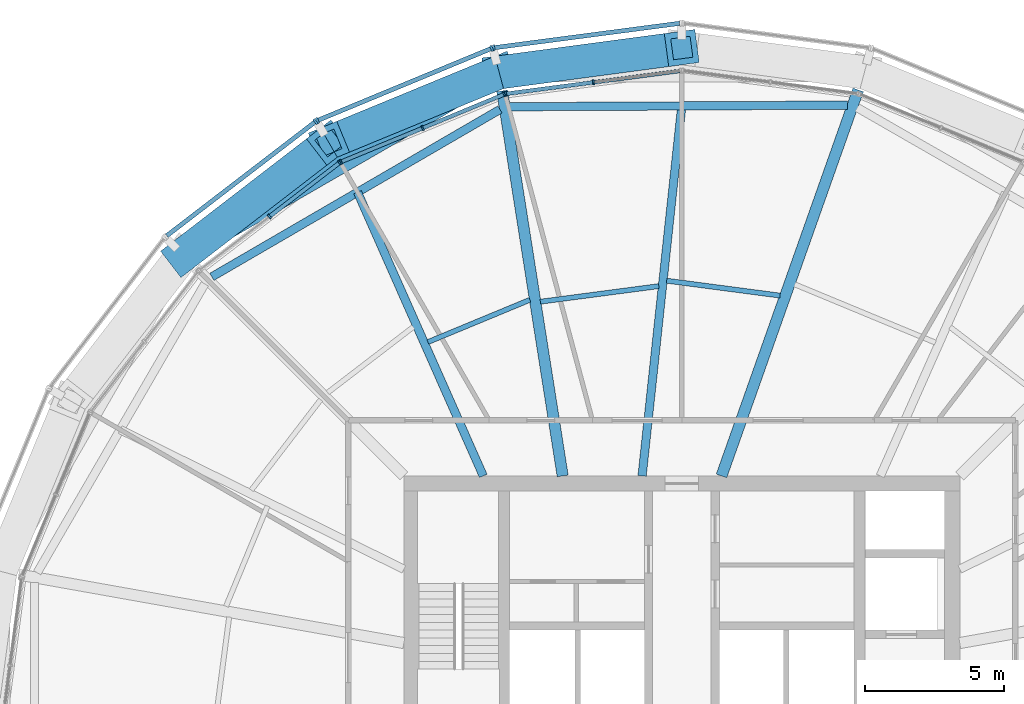
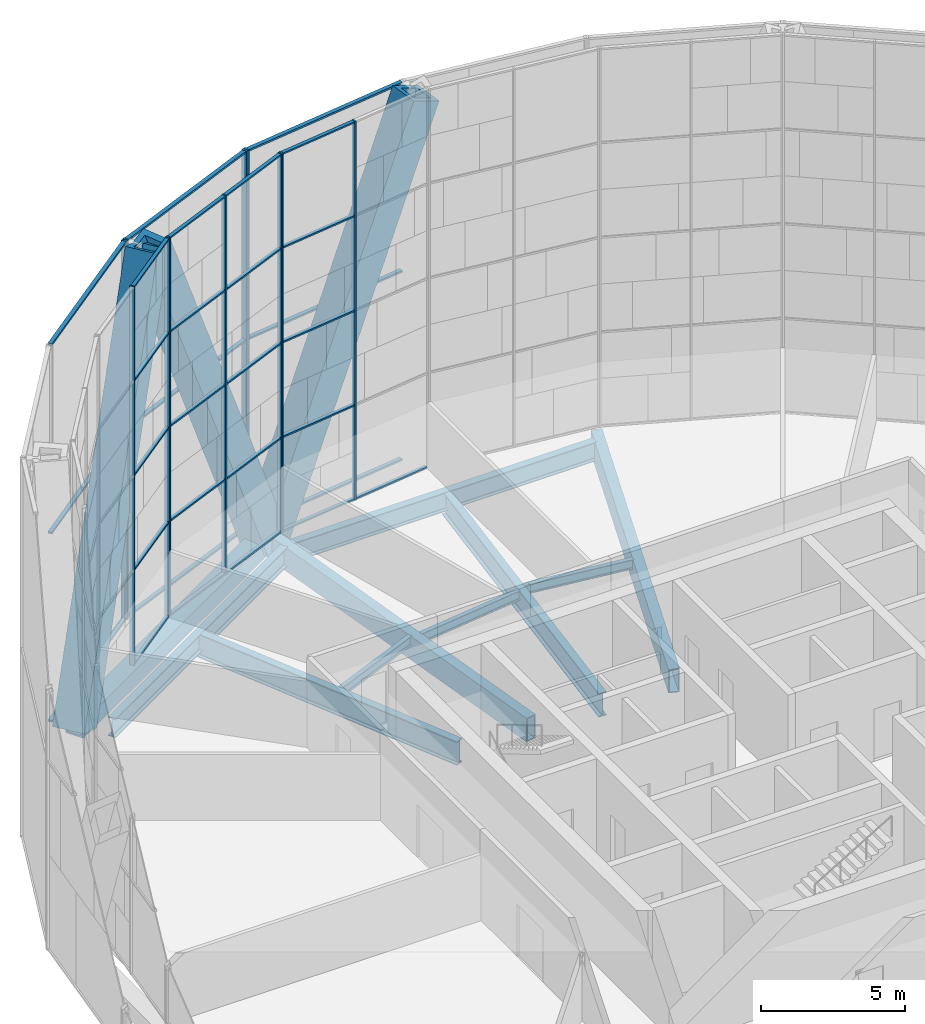
# One storey, part 9 of 30: 44 members, 10 beams, 6 elements without a shape of their own.
"""IFC4 building model written with IfcOpenShell, lengths in metres."""

from ifc_helpers import new_model, si_unit, direction, frame, origin, origin_2d, place, context, subcontext, project, spatial, rectangle, hollow_rectangle, i_section, extrude, material, material_profile, profile_set, type_object, element, aggregate, save


model = new_model("IFC4")

# Units and contexts
model_context = context("Model", 3, precision=1e-05, world=origin(), true_north=direction((0.0, 1.0)))
body_context = subcontext(model_context, "Body", "Model", "MODEL_VIEW")
ifc_project = project(units=[si_unit("LENGTHUNIT", "METRE"), si_unit("AREAUNIT", "SQUARE_METRE"), si_unit("VOLUMEUNIT", "CUBIC_METRE"), si_unit("PLANEANGLEUNIT", "RADIAN"), si_unit("MASSUNIT", "GRAM", prefix="KILO")], contexts=[model_context])

# Site, building, storey
site_placement = place(None, origin())
site = spatial("IfcSite", under=ifc_project, at=site_placement, CompositionType="ELEMENT")
building_placement = place(site_placement, origin())
building = spatial("IfcBuilding", under=site, at=building_placement, Name="Golbaran Civic Tower", CompositionType="ELEMENT")
storey_placement = place(building_placement, frame((0.0, 0.0, 102.0)))
storey = spatial("IfcBuildingStorey", under=building, at=storey_placement, Name="L24", CompositionType="ELEMENT", Elevation=102.0)

# Members
ifc_material_1 = material(Name="Steel S355", Category="steel")
ifc_material_profile_1 = material_profile(ifc_material_1, hollow_rectangle(XDim=1.199951171875, YDim=1.199951171875, WallThickness=0.219970703125, at=origin_2d()), Name="BOX 1200x1200x220")
ifc_profile_set_1 = profile_set([ifc_material_profile_1], Name="Steel S355")
member_type_1 = type_object("IfcMemberType", Name="DIAGRID DIAGONAL BOX 1200x1200x220", PredefinedType="BRACE", material=ifc_profile_set_1)
for number, where, z_axis, x_axis, name in (
    (1, (-6.569091796875, 24.51611328125, -0.7099609375), (-0.353814050585, -0.145808380158, 0.923880692451), (0.381018447137, -0.924567435583, 0.0), "Diagonal D05-03R L24-L28"),
    (2, (-6.569091796875, 24.51611328125, -0.7099609375), (0.379315997273, 0.050637494414, 0.923880521697), (-0.132322975426, 0.991206653617, 0.0), "Diagonal D05-03L L24-L28"),
):
    element("IfcMember", number, at=place(storey_placement, frame(where, z_axis=z_axis, x_axis=x_axis)), inside=storey, type_object=member_type_1, Name=name, PredefinedType="BRACE", context=body_context, shape_type="SweptSolid", body=[
        extrude(hollow_rectangle(XDim=1.199951171875, YDim=1.199951171875, WallThickness=0.219970703125, at=origin_2d()), origin(), (0.0, 0.0, 1.0), 17.318359375),
    ])
member_1_placement = place(storey_placement, frame((-17.947021484375, 17.947021484375, -0.7099609375), z_axis=(0.303176942092, 0.233507991668, 0.923881897003), x_axis=(-0.61019489003, 0.792251346595, 0.0)))
element("IfcMember", 3, at=member_1_placement, inside=storey, type_object=member_type_1, Name="Diagonal D05-04L L24-L28", PredefinedType="BRACE", context=body_context, shape_type="SweptSolid", body=[
    extrude(hollow_rectangle(XDim=1.199951171875, YDim=1.199951171875, WallThickness=0.219970703125, at=origin_2d()), origin(), (0.0, 0.0, 1.0), 17.318115234375),
])

# Beams
ifc_material_profile_2 = material_profile(ifc_material_1, hollow_rectangle(XDim=0.699951171875, YDim=0.699951171875, WallThickness=0.080078125, at=origin_2d()), Name="BOX 700x700x80")
ifc_profile_set_2 = profile_set([ifc_material_profile_2], Name="Steel S355")
beam_type_1 = type_object("IfcBeamType", Name="DIAGRID RING TIE BOX 700x700x80", PredefinedType="BEAM", material=ifc_profile_set_2)
beam_1_placement = place(storey_placement, frame((-6.569091796875, 24.51611328125, -0.7099609375), z_axis=(-0.866024051528, -0.500002342169, 0.0), x_axis=(0.500002342169, -0.866024051528, 0.0)))
element("IfcBeam", 4, at=beam_1_placement, inside=storey, type_object=beam_type_1, Name="Ring tie 105.00 L24", PredefinedType="BEAM", context=body_context, shape_type="SweptSolid", body=[
    extrude(hollow_rectangle(XDim=0.699951171875, YDim=0.699951171875, WallThickness=0.080078125, at=origin_2d()), origin(), (0.0, 0.0, 1.0), 13.13818359375),
])
ifc_material_profile_3 = material_profile(ifc_material_1, i_section(OverallWidth=0.300048828125, OverallDepth=0.800048828125, WebThickness=0.017578125, FlangeThickness=0.032958984375, FilletRadius=0.030029296875, at=origin_2d()), Name="HEB 800")
ifc_profile_set_3 = profile_set([ifc_material_profile_3], Name="Steel S355")
beam_type_2 = type_object("IfcBeamType", Name="EDGE BEAM HEB 800", PredefinedType="BEAM", material=ifc_profile_set_3)
beam_2_placement = place(storey_placement, frame((5.96142578125, 23.339599609375, -0.60009765625), z_axis=(-0.999988572418, -0.004780693816, 0.0), x_axis=(0.004780693816, -0.999988572418, 0.0)))
element("IfcBeam", 5, at=beam_2_placement, inside=storey, type_object=beam_type_2, Name="Edge beam 75.00 L24", PredefinedType="BEAM", context=body_context, shape_type="SweptSolid", body=[
    extrude(i_section(OverallWidth=0.300048828125, OverallDepth=0.800048828125, WebThickness=0.017578125, FlangeThickness=0.032958984375, FilletRadius=0.030029296875, at=origin_2d()), origin(), (0.0, 0.0, 1.0), 12.154296875),
])
beam_3_placement = place(storey_placement, frame((-6.541748046875, 23.183837890625, -0.60009765625), z_axis=(-0.864655119007, -0.502365927561, 0.0), x_axis=(0.502365927561, -0.864655119007, 0.0)))
element("IfcBeam", 6, at=beam_3_placement, inside=storey, type_object=beam_type_2, Name="Edge beam 105.00 L24", PredefinedType="BEAM", context=body_context, shape_type="SweptSolid", body=[
    extrude(i_section(OverallWidth=0.300048828125, OverallDepth=0.800048828125, WebThickness=0.017578125, FlangeThickness=0.032958984375, FilletRadius=0.030029296875, at=origin_2d()), origin(), (0.0, 0.0, 1.0), 11.98779296875),
])
ifc_material_profile_4 = material_profile(ifc_material_1, i_section(OverallWidth=0.179931640625, OverallDepth=0.39990234375, WebThickness=0.008544921875, FlangeThickness=0.013427734375, FilletRadius=0.02099609375, at=origin_2d()), Name="IPE 400")
ifc_profile_set_4 = profile_set([ifc_material_profile_4], Name="Steel S355")
beam_type_3 = type_object("IfcBeamType", Name="FLOOR INFILL BEAM IPE 400", PredefinedType="BEAM", material=ifc_profile_set_4)
beam_4_placement = place(storey_placement, frame((3.53466796875, 16.486328125, -0.39990234375), z_axis=(-0.99144884107, 0.130495959868, 0.0), x_axis=(-0.130495959868, -0.99144884107, 0.0)))
element("IfcBeam", 7, at=beam_4_placement, inside=storey, type_object=beam_type_3, Name="Infill beam 82.50 L24", PredefinedType="BEAM", context=body_context, shape_type="SweptSolid", body=[
    extrude(i_section(OverallWidth=0.179931640625, OverallDepth=0.39990234375, WebThickness=0.008544921875, FlangeThickness=0.013427734375, FilletRadius=0.02099609375, at=origin_2d()), origin(), (0.0, 0.0, 1.0), 4.114013671875),
])
beam_5_placement = place(storey_placement, frame((-0.826416015625, 16.827880859375, -0.39990234375), z_axis=(-0.99145062314, -0.130482419791, 0.0), x_axis=(0.130482419791, -0.99145062314, 0.0)))
element("IfcBeam", 8, at=beam_5_placement, inside=storey, type_object=beam_type_3, Name="Infill beam 97.50 L24", PredefinedType="BEAM", context=body_context, shape_type="SweptSolid", body=[
    extrude(i_section(OverallWidth=0.179931640625, OverallDepth=0.39990234375, WebThickness=0.008544921875, FlangeThickness=0.013427734375, FilletRadius=0.02099609375, at=origin_2d()), origin(), (0.0, 0.0, 1.0), 4.2998046875),
])
beam_6_placement = place(storey_placement, frame((-5.46435546875, 16.33544921875, -0.39990234375), z_axis=(-0.923876761778, -0.382690121439, 0.0), x_axis=(0.382690121439, -0.923876761778, 0.0)))
element("IfcBeam", 9, at=beam_6_placement, inside=storey, type_object=beam_type_3, Name="Infill beam 112.50 L24", PredefinedType="BEAM", context=body_context, shape_type="SweptSolid", body=[
    extrude(i_section(OverallWidth=0.179931640625, OverallDepth=0.39990234375, WebThickness=0.008544921875, FlangeThickness=0.013427734375, FilletRadius=0.02099609375, at=origin_2d()), origin(), (0.0, 0.0, 1.0), 3.97265625),
])

# Curtain wall, members
ifc_material_2 = material(Name="Aluminium and glass", Category="aluminium")
curtain_wall_type_1 = type_object("IfcCurtainWallType", Name="INNER SKIN CURTAIN WALL", PredefinedType="NOTDEFINED", material=ifc_material_2)
curtain_wall_1_placement = place(storey_placement, origin())
curtain_wall_1 = element("IfcCurtainWall", 10, at=curtain_wall_1_placement, inside=storey, type_object=curtain_wall_type_1, Name="Inner skin L24 facet 7 CW1", ObjectType="INNER SKIN", PredefinedType="USERDEFINED")
ifc_material_3 = material(Name="Aluminium", Category="aluminium")
ifc_material_profile_5 = material_profile(ifc_material_3, rectangle(XDim=0.179931640625, YDim=0.06494140625, at=origin_2d()), Name="INNER SKIN CURTAIN WALL MULLION")
ifc_profile_set_5 = profile_set([ifc_material_profile_5], Name="Aluminium")
member_type_2 = type_object("IfcMemberType", Name="INNER SKIN CURTAIN WALL MULLION", PredefinedType="MULLION", material=ifc_profile_set_5)
member_2_placement = place(storey_placement, frame((-3.1806640625, 24.1591796875, 0.0), z_axis=(0.0, 0.0, 1.0), x_axis=(0.130526192134, -0.991444861385, 0.0)))
member_2 = element("IfcMember", 11, at=member_2_placement, type_object=member_type_2, Name="CW1 mullion 2", PredefinedType="MULLION", context=body_context, shape_type="SweptSolid", body=[
    extrude(rectangle(XDim=0.179931640625, YDim=0.06494140625, at=origin_2d()), origin(), (0.0, 0.0, 1.0), 16.0),
])
member_3_placement = place(storey_placement, frame((-6.3291015625, 23.744873046875, 0.0), z_axis=(0.0, 0.0, 1.0), x_axis=(0.130526192134, -0.991444861385, 0.0)))
member_3 = element("IfcMember", 12, at=member_3_placement, type_object=member_type_2, Name="CW1 mullion 3", PredefinedType="MULLION", context=body_context, shape_type="SweptSolid", body=[
    extrude(rectangle(XDim=0.179931640625, YDim=0.06494140625, at=origin_2d()), origin(), (0.0, 0.0, 1.0), 16.0),
])

curtain_wall_2_placement = place(storey_placement, origin())
curtain_wall_2 = element("IfcCurtainWall", 13, at=curtain_wall_2_placement, inside=storey, type_object=curtain_wall_type_1, Name="Inner skin L24 facet 8 CW1", ObjectType="INNER SKIN", PredefinedType="USERDEFINED")
member_4_placement = place(storey_placement, frame((-6.391357421875, 23.72802734375, 0.0), z_axis=(0.0, 0.0, 1.0), x_axis=(0.382683432478, -0.923879532465, 0.0)))
member_4 = element("IfcMember", 14, at=member_4_placement, type_object=member_type_2, Name="CW1 mullion 1", PredefinedType="MULLION", context=body_context, shape_type="SweptSolid", body=[
    extrude(rectangle(XDim=0.179931640625, YDim=0.06494140625, at=origin_2d()), origin(), (0.0, 0.0, 1.0), 16.0),
])
member_5_placement = place(storey_placement, frame((-9.3251953125, 22.512939453125, 0.0), z_axis=(0.0, 0.0, 1.0), x_axis=(0.382683432478, -0.923879532465, 0.0)))
member_5 = element("IfcMember", 15, at=member_5_placement, type_object=member_type_2, Name="CW1 mullion 2", PredefinedType="MULLION", context=body_context, shape_type="SweptSolid", body=[
    extrude(rectangle(XDim=0.179931640625, YDim=0.06494140625, at=origin_2d()), origin(), (0.0, 0.0, 1.0), 16.0),
])
member_6_placement = place(storey_placement, frame((-12.259033203125, 21.297607421875, 0.0), z_axis=(0.0, 0.0, 1.0), x_axis=(0.382683432478, -0.923879532465, 0.0)))
member_6 = element("IfcMember", 16, at=member_6_placement, type_object=member_type_2, Name="CW1 mullion 3", PredefinedType="MULLION", context=body_context, shape_type="SweptSolid", body=[
    extrude(rectangle(XDim=0.179931640625, YDim=0.06494140625, at=origin_2d()), origin(), (0.0, 0.0, 1.0), 16.0),
])

curtain_wall_3_placement = place(storey_placement, origin())
curtain_wall_3 = element("IfcCurtainWall", 17, at=curtain_wall_3_placement, inside=storey, type_object=curtain_wall_type_1, Name="Inner skin L24 facet 9 CW1", ObjectType="INNER SKIN", PredefinedType="USERDEFINED")
member_7_placement = place(storey_placement, frame((-12.314697265625, 21.265380859375, 0.0), z_axis=(0.0, 0.0, 1.0), x_axis=(0.608761428995, -0.793353340302, 0.0)))
member_7 = element("IfcMember", 18, at=member_7_placement, type_object=member_type_2, Name="CW1 mullion 1", PredefinedType="MULLION", context=body_context, shape_type="SweptSolid", body=[
    extrude(rectangle(XDim=0.179931640625, YDim=0.06494140625, at=origin_2d()), origin(), (0.0, 0.0, 1.0), 16.0),
])
member_8_placement = place(storey_placement, frame((-14.834228515625, 19.332275390625, 0.0), z_axis=(0.0, 0.0, 1.0), x_axis=(0.608761428995, -0.793353340302, 0.0)))
member_8 = element("IfcMember", 19, at=member_8_placement, type_object=member_type_2, Name="CW1 mullion 2", PredefinedType="MULLION", context=body_context, shape_type="SweptSolid", body=[
    extrude(rectangle(XDim=0.179931640625, YDim=0.06494140625, at=origin_2d()), origin(), (0.0, 0.0, 1.0), 16.0),
])

# Member
ifc_material_profile_6 = material_profile(ifc_material_3, rectangle(XDim=0.139892578125, YDim=0.06494140625, at=origin_2d()), Name="INNER SKIN CURTAIN WALL TRANSOM")
ifc_profile_set_6 = profile_set([ifc_material_profile_6], Name="Aluminium")
member_type_3 = type_object("IfcMemberType", Name="INNER SKIN CURTAIN WALL TRANSOM", PredefinedType="USERDEFINED", material=ifc_profile_set_6)
member_9_placement = place(storey_placement, frame((-0.064453125, 24.569580078125, 0.032470703125), z_axis=(-0.991445210256, -0.130523542167, 0.0), x_axis=(0.130523542167, -0.991445210256, 0.0)))
member_9 = element("IfcMember", 20, at=member_9_placement, type_object=member_type_3, Name="CW1 transom 1.1", ObjectType="TRANSOM", PredefinedType="USERDEFINED", context=body_context, shape_type="SweptSolid", body=[
    extrude(rectangle(XDim=0.139892578125, YDim=0.06494140625, at=origin_2d()), origin(), (0.0, 0.0, 1.0), 3.110595703125),
])

member_10_placement = place(storey_placement, frame((-3.212890625, 24.155029296875, 0.032470703125), z_axis=(-0.991445210256, -0.130523542167, 0.0), x_axis=(0.130523542167, -0.991445210256, 0.0)))
member_10 = element("IfcMember", 21, at=member_10_placement, type_object=member_type_3, Name="CW1 transom 2.1", ObjectType="TRANSOM", PredefinedType="USERDEFINED", context=body_context, shape_type="SweptSolid", body=[
    extrude(rectangle(XDim=0.139892578125, YDim=0.06494140625, at=origin_2d()), origin(), (0.0, 0.0, 1.0), 3.110595703125),
])

member_11_placement = place(storey_placement, frame((-3.212890625, 24.155029296875, 4.0), z_axis=(-0.991445210256, -0.130523542167, 0.0), x_axis=(0.130523542167, -0.991445210256, 0.0)))
member_11 = element("IfcMember", 22, at=member_11_placement, type_object=member_type_3, Name="CW1 transom 2.2", ObjectType="TRANSOM", PredefinedType="USERDEFINED", context=body_context, shape_type="SweptSolid", body=[
    extrude(rectangle(XDim=0.139892578125, YDim=0.06494140625, at=origin_2d()), origin(), (0.0, 0.0, 1.0), 3.110595703125),
])

member_12_placement = place(storey_placement, frame((-3.212890625, 24.155029296875, 8.0), z_axis=(-0.991445210256, -0.130523542167, 0.0), x_axis=(0.130523542167, -0.991445210256, 0.0)))
member_12 = element("IfcMember", 23, at=member_12_placement, type_object=member_type_3, Name="CW1 transom 2.3", ObjectType="TRANSOM", PredefinedType="USERDEFINED", context=body_context, shape_type="SweptSolid", body=[
    extrude(rectangle(XDim=0.139892578125, YDim=0.06494140625, at=origin_2d()), origin(), (0.0, 0.0, 1.0), 3.110595703125),
])

member_13_placement = place(storey_placement, frame((-3.212890625, 24.155029296875, 12.0), z_axis=(-0.991445210256, -0.130523542167, 0.0), x_axis=(0.130523542167, -0.991445210256, 0.0)))
member_13 = element("IfcMember", 24, at=member_13_placement, type_object=member_type_3, Name="CW1 transom 2.4", ObjectType="TRANSOM", PredefinedType="USERDEFINED", context=body_context, shape_type="SweptSolid", body=[
    extrude(rectangle(XDim=0.139892578125, YDim=0.06494140625, at=origin_2d()), origin(), (0.0, 0.0, 1.0), 3.110595703125),
])

member_14_placement = place(storey_placement, frame((-3.212890625, 24.155029296875, 15.967529296875), z_axis=(-0.991445210256, -0.130523542167, 0.0), x_axis=(0.130523542167, -0.991445210256, 0.0)))
member_14 = element("IfcMember", 25, at=member_14_placement, type_object=member_type_3, Name="CW1 transom 2.5", ObjectType="TRANSOM", PredefinedType="USERDEFINED", context=body_context, shape_type="SweptSolid", body=[
    extrude(rectangle(XDim=0.139892578125, YDim=0.06494140625, at=origin_2d()), origin(), (0.0, 0.0, 1.0), 3.110595703125),
])

aggregate(curtain_wall_1, [member_2, member_3, member_9, member_10, member_11, member_12, member_13, member_14])

member_15_placement = place(storey_placement, frame((-6.42138671875, 23.715576171875, 0.032470703125), z_axis=(-0.923899174075, -0.382636009992, 0.0), x_axis=(0.382636009992, -0.923899174075, 0.0)))
member_15 = element("IfcMember", 26, at=member_15_placement, type_object=member_type_3, Name="CW1 transom 1.1", ObjectType="TRANSOM", PredefinedType="USERDEFINED", context=body_context, shape_type="SweptSolid", body=[
    extrude(rectangle(XDim=0.139892578125, YDim=0.06494140625, at=origin_2d()), origin(), (0.0, 0.0, 1.0), 3.110595703125),
])

member_16_placement = place(storey_placement, frame((-6.42138671875, 23.715576171875, 4.0), z_axis=(-0.923899174075, -0.382636009992, 0.0), x_axis=(0.382636009992, -0.923899174075, 0.0)))
member_16 = element("IfcMember", 27, at=member_16_placement, type_object=member_type_3, Name="CW1 transom 1.2", ObjectType="TRANSOM", PredefinedType="USERDEFINED", context=body_context, shape_type="SweptSolid", body=[
    extrude(rectangle(XDim=0.139892578125, YDim=0.06494140625, at=origin_2d()), origin(), (0.0, 0.0, 1.0), 3.110595703125),
])

member_17_placement = place(storey_placement, frame((-6.42138671875, 23.715576171875, 8.0), z_axis=(-0.923899174075, -0.382636009992, 0.0), x_axis=(0.382636009992, -0.923899174075, 0.0)))
member_17 = element("IfcMember", 28, at=member_17_placement, type_object=member_type_3, Name="CW1 transom 1.3", ObjectType="TRANSOM", PredefinedType="USERDEFINED", context=body_context, shape_type="SweptSolid", body=[
    extrude(rectangle(XDim=0.139892578125, YDim=0.06494140625, at=origin_2d()), origin(), (0.0, 0.0, 1.0), 3.110595703125),
])

member_18_placement = place(storey_placement, frame((-6.42138671875, 23.715576171875, 12.0), z_axis=(-0.923899174075, -0.382636009992, 0.0), x_axis=(0.382636009992, -0.923899174075, 0.0)))
member_18 = element("IfcMember", 29, at=member_18_placement, type_object=member_type_3, Name="CW1 transom 1.4", ObjectType="TRANSOM", PredefinedType="USERDEFINED", context=body_context, shape_type="SweptSolid", body=[
    extrude(rectangle(XDim=0.139892578125, YDim=0.06494140625, at=origin_2d()), origin(), (0.0, 0.0, 1.0), 3.110595703125),
])

member_19_placement = place(storey_placement, frame((-6.42138671875, 23.715576171875, 15.967529296875), z_axis=(-0.923899174075, -0.382636009992, 0.0), x_axis=(0.382636009992, -0.923899174075, 0.0)))
member_19 = element("IfcMember", 30, at=member_19_placement, type_object=member_type_3, Name="CW1 transom 1.5", ObjectType="TRANSOM", PredefinedType="USERDEFINED", context=body_context, shape_type="SweptSolid", body=[
    extrude(rectangle(XDim=0.139892578125, YDim=0.06494140625, at=origin_2d()), origin(), (0.0, 0.0, 1.0), 3.110595703125),
])

member_20_placement = place(storey_placement, frame((-9.355224609375, 22.50048828125, 0.032470703125), z_axis=(-0.923871425122, -0.382703004748, 0.0), x_axis=(0.382703004748, -0.923871425122, 0.0)))
member_20 = element("IfcMember", 31, at=member_20_placement, type_object=member_type_3, Name="CW1 transom 2.1", ObjectType="TRANSOM", PredefinedType="USERDEFINED", context=body_context, shape_type="SweptSolid", body=[
    extrude(rectangle(XDim=0.139892578125, YDim=0.06494140625, at=origin_2d()), origin(), (0.0, 0.0, 1.0), 3.110595703125),
])

member_21_placement = place(storey_placement, frame((-9.355224609375, 22.50048828125, 4.0), z_axis=(-0.923871425122, -0.382703004748, 0.0), x_axis=(0.382703004748, -0.923871425122, 0.0)))
member_21 = element("IfcMember", 32, at=member_21_placement, type_object=member_type_3, Name="CW1 transom 2.2", ObjectType="TRANSOM", PredefinedType="USERDEFINED", context=body_context, shape_type="SweptSolid", body=[
    extrude(rectangle(XDim=0.139892578125, YDim=0.06494140625, at=origin_2d()), origin(), (0.0, 0.0, 1.0), 3.110595703125),
])

member_22_placement = place(storey_placement, frame((-9.355224609375, 22.50048828125, 8.0), z_axis=(-0.923871425122, -0.382703004748, 0.0), x_axis=(0.382703004748, -0.923871425122, 0.0)))
member_22 = element("IfcMember", 33, at=member_22_placement, type_object=member_type_3, Name="CW1 transom 2.3", ObjectType="TRANSOM", PredefinedType="USERDEFINED", context=body_context, shape_type="SweptSolid", body=[
    extrude(rectangle(XDim=0.139892578125, YDim=0.06494140625, at=origin_2d()), origin(), (0.0, 0.0, 1.0), 3.110595703125),
])

member_23_placement = place(storey_placement, frame((-9.355224609375, 22.50048828125, 12.0), z_axis=(-0.923871425122, -0.382703004748, 0.0), x_axis=(0.382703004748, -0.923871425122, 0.0)))
member_23 = element("IfcMember", 34, at=member_23_placement, type_object=member_type_3, Name="CW1 transom 2.4", ObjectType="TRANSOM", PredefinedType="USERDEFINED", context=body_context, shape_type="SweptSolid", body=[
    extrude(rectangle(XDim=0.139892578125, YDim=0.06494140625, at=origin_2d()), origin(), (0.0, 0.0, 1.0), 3.110595703125),
])

member_24_placement = place(storey_placement, frame((-9.355224609375, 22.50048828125, 15.967529296875), z_axis=(-0.923871425122, -0.382703004748, 0.0), x_axis=(0.382703004748, -0.923871425122, 0.0)))
member_24 = element("IfcMember", 35, at=member_24_placement, type_object=member_type_3, Name="CW1 transom 2.5", ObjectType="TRANSOM", PredefinedType="USERDEFINED", context=body_context, shape_type="SweptSolid", body=[
    extrude(rectangle(XDim=0.139892578125, YDim=0.06494140625, at=origin_2d()), origin(), (0.0, 0.0, 1.0), 3.110595703125),
])

aggregate(curtain_wall_2, [member_4, member_5, member_6, member_15, member_16, member_17, member_18, member_19, member_20, member_21, member_22, member_23, member_24])

member_25_placement = place(storey_placement, frame((-12.340576171875, 21.24560546875, 0.032470703125), z_axis=(-0.793358692504, -0.608754453805, 0.0), x_axis=(0.608754453805, -0.793358692504, 0.0)))
member_25 = element("IfcMember", 36, at=member_25_placement, type_object=member_type_3, Name="CW1 transom 1.1", ObjectType="TRANSOM", PredefinedType="USERDEFINED", context=body_context, shape_type="SweptSolid", body=[
    extrude(rectangle(XDim=0.139892578125, YDim=0.06494140625, at=origin_2d()), origin(), (0.0, 0.0, 1.0), 3.110595703125),
])

member_26_placement = place(storey_placement, frame((-12.340576171875, 21.24560546875, 4.0), z_axis=(-0.793358692504, -0.608754453805, 0.0), x_axis=(0.608754453805, -0.793358692504, 0.0)))
member_26 = element("IfcMember", 37, at=member_26_placement, type_object=member_type_3, Name="CW1 transom 1.2", ObjectType="TRANSOM", PredefinedType="USERDEFINED", context=body_context, shape_type="SweptSolid", body=[
    extrude(rectangle(XDim=0.139892578125, YDim=0.06494140625, at=origin_2d()), origin(), (0.0, 0.0, 1.0), 3.110595703125),
])

member_27_placement = place(storey_placement, frame((-12.340576171875, 21.24560546875, 8.0), z_axis=(-0.793358692504, -0.608754453805, 0.0), x_axis=(0.608754453805, -0.793358692504, 0.0)))
member_27 = element("IfcMember", 38, at=member_27_placement, type_object=member_type_3, Name="CW1 transom 1.3", ObjectType="TRANSOM", PredefinedType="USERDEFINED", context=body_context, shape_type="SweptSolid", body=[
    extrude(rectangle(XDim=0.139892578125, YDim=0.06494140625, at=origin_2d()), origin(), (0.0, 0.0, 1.0), 3.110595703125),
])

member_28_placement = place(storey_placement, frame((-12.340576171875, 21.24560546875, 12.0), z_axis=(-0.793358692504, -0.608754453805, 0.0), x_axis=(0.608754453805, -0.793358692504, 0.0)))
member_28 = element("IfcMember", 39, at=member_28_placement, type_object=member_type_3, Name="CW1 transom 1.4", ObjectType="TRANSOM", PredefinedType="USERDEFINED", context=body_context, shape_type="SweptSolid", body=[
    extrude(rectangle(XDim=0.139892578125, YDim=0.06494140625, at=origin_2d()), origin(), (0.0, 0.0, 1.0), 3.110595703125),
])

member_29_placement = place(storey_placement, frame((-12.340576171875, 21.24560546875, 15.967529296875), z_axis=(-0.793358692504, -0.608754453805, 0.0), x_axis=(0.608754453805, -0.793358692504, 0.0)))
member_29 = element("IfcMember", 40, at=member_29_placement, type_object=member_type_3, Name="CW1 transom 1.5", ObjectType="TRANSOM", PredefinedType="USERDEFINED", context=body_context, shape_type="SweptSolid", body=[
    extrude(rectangle(XDim=0.139892578125, YDim=0.06494140625, at=origin_2d()), origin(), (0.0, 0.0, 1.0), 3.110595703125),
])

aggregate(curtain_wall_3, [member_7, member_8, member_25, member_26, member_27, member_28, member_29])

# Curtain wall, member
curtain_wall_type_2 = type_object("IfcCurtainWallType", Name="OUTER SKIN TERRACOTTA SCREEN", PredefinedType="NOTDEFINED", material=ifc_material_2)
curtain_wall_4_placement = place(storey_placement, origin())
curtain_wall_4 = element("IfcCurtainWall", 41, at=curtain_wall_4_placement, inside=storey, type_object=curtain_wall_type_2, Name="Outer skin L24 facet 7 CW3", ObjectType="OUTER SKIN", PredefinedType="USERDEFINED")
ifc_material_profile_7 = material_profile(ifc_material_3, rectangle(XDim=0.219970703125, YDim=0.080078125, at=origin_2d()), Name="OUTER SKIN TERRACOTTA SCREEN MULLION")
ifc_profile_set_7 = profile_set([ifc_material_profile_7], Name="Aluminium")
member_type_4 = type_object("IfcMemberType", Name="OUTER SKIN TERRACOTTA SCREEN MULLION", PredefinedType="MULLION", material=ifc_profile_set_7)
member_30_placement = place(storey_placement, frame((-6.765380859375, 25.40234375, -0.7099609375), z_axis=(0.0, 0.0, 1.0), x_axis=(0.130526192168, -0.991444861381, 0.0)))
member_30 = element("IfcMember", 42, at=member_30_placement, type_object=member_type_4, Name="CW3 mullion 2", PredefinedType="MULLION", context=body_context, shape_type="SweptSolid", body=[
    extrude(rectangle(XDim=0.219970703125, YDim=0.080078125, at=origin_2d()), origin(), (0.0, 0.0, 1.0), 16.0),
])

# Curtain wall, members
curtain_wall_5_placement = place(storey_placement, origin())
curtain_wall_5 = element("IfcCurtainWall", 43, at=curtain_wall_5_placement, inside=storey, type_object=curtain_wall_type_2, Name="Outer skin L24 facet 8 CW3", ObjectType="OUTER SKIN", PredefinedType="USERDEFINED")
member_31_placement = place(storey_placement, frame((-6.842041015625, 25.3818359375, -0.7099609375), z_axis=(0.0, 0.0, 1.0), x_axis=(0.382683432381, -0.923879532505, 0.0)))
member_31 = element("IfcMember", 44, at=member_31_placement, type_object=member_type_4, Name="CW3 mullion 1", PredefinedType="MULLION", context=body_context, shape_type="SweptSolid", body=[
    extrude(rectangle(XDim=0.219970703125, YDim=0.080078125, at=origin_2d()), origin(), (0.0, 0.0, 1.0), 16.0),
])
member_32_placement = place(storey_placement, frame((-13.109619140625, 22.78564453125, -0.7099609375), z_axis=(0.0, 0.0, 1.0), x_axis=(0.382683432381, -0.923879532505, 0.0)))
member_32 = element("IfcMember", 45, at=member_32_placement, type_object=member_type_4, Name="CW3 mullion 2", PredefinedType="MULLION", context=body_context, shape_type="SweptSolid", body=[
    extrude(rectangle(XDim=0.219970703125, YDim=0.080078125, at=origin_2d()), origin(), (0.0, 0.0, 1.0), 16.0),
])

# Curtain wall, member
curtain_wall_6_placement = place(storey_placement, origin())
curtain_wall_6 = element("IfcCurtainWall", 46, at=curtain_wall_6_placement, inside=storey, type_object=curtain_wall_type_2, Name="Outer skin L24 facet 9 CW3", ObjectType="OUTER SKIN", PredefinedType="USERDEFINED")
member_33_placement = place(storey_placement, frame((-13.17822265625, 22.74609375, -0.7099609375), z_axis=(0.0, 0.0, 1.0), x_axis=(0.608761428995, -0.793353340302, 0.0)))
member_33 = element("IfcMember", 47, at=member_33_placement, type_object=member_type_4, Name="CW3 mullion 1", PredefinedType="MULLION", context=body_context, shape_type="SweptSolid", body=[
    extrude(rectangle(XDim=0.219970703125, YDim=0.080078125, at=origin_2d()), origin(), (0.0, 0.0, 1.0), 16.0),
])

# Member
ifc_material_profile_8 = material_profile(ifc_material_3, rectangle(XDim=0.159912109375, YDim=0.080078125, at=origin_2d()), Name="OUTER SKIN TERRACOTTA SCREEN TRANSOM")
ifc_profile_set_8 = profile_set([ifc_material_profile_8], Name="Aluminium")
member_type_5 = type_object("IfcMemberType", Name="OUTER SKIN TERRACOTTA SCREEN TRANSOM", PredefinedType="USERDEFINED", material=ifc_profile_set_8)
member_34_placement = place(storey_placement, frame((-0.079345703125, 26.282470703125, -0.669921875), z_axis=(-0.991445368442, -0.1305223406, 0.0), x_axis=(0.1305223406, -0.991445368442, 0.0)))
member_34 = element("IfcMember", 48, at=member_34_placement, type_object=member_type_5, Name="CW3 transom 1.1", ObjectType="TRANSOM", PredefinedType="USERDEFINED", context=body_context, shape_type="SweptSolid", body=[
    extrude(rectangle(XDim=0.159912109375, YDim=0.080078125, at=origin_2d()), origin(), (0.0, 0.0, 1.0), 6.703857421875),
])

member_35_placement = place(storey_placement, frame((-0.079345703125, 26.282470703125, 7.2900390625), z_axis=(-0.991445368442, -0.1305223406, 0.0), x_axis=(0.1305223406, -0.991445368442, 0.0)))
member_35 = element("IfcMember", 49, at=member_35_placement, type_object=member_type_5, Name="CW3 transom 1.2", ObjectType="TRANSOM", PredefinedType="USERDEFINED", context=body_context, shape_type="SweptSolid", body=[
    extrude(rectangle(XDim=0.159912109375, YDim=0.080078125, at=origin_2d()), origin(), (0.0, 0.0, 1.0), 6.703857421875),
])

member_36_placement = place(storey_placement, frame((-0.079345703125, 26.282470703125, 15.25), z_axis=(-0.991445368442, -0.1305223406, 0.0), x_axis=(0.1305223406, -0.991445368442, 0.0)))
member_36 = element("IfcMember", 50, at=member_36_placement, type_object=member_type_5, Name="CW3 transom 1.3", ObjectType="TRANSOM", PredefinedType="USERDEFINED", context=body_context, shape_type="SweptSolid", body=[
    extrude(rectangle(XDim=0.159912109375, YDim=0.080078125, at=origin_2d()), origin(), (0.0, 0.0, 1.0), 6.703857421875),
])

aggregate(curtain_wall_4, [member_30, member_34, member_35, member_36])

member_37_placement = place(storey_placement, frame((-6.879150390625, 25.366455078125, -0.669921875), z_axis=(-0.923876566489, -0.382690592899, 0.0), x_axis=(0.382690592899, -0.923876566489, 0.0)))
member_37 = element("IfcMember", 51, at=member_37_placement, type_object=member_type_5, Name="CW3 transom 1.1", ObjectType="TRANSOM", PredefinedType="USERDEFINED", context=body_context, shape_type="SweptSolid", body=[
    extrude(rectangle(XDim=0.159912109375, YDim=0.080078125, at=origin_2d()), origin(), (0.0, 0.0, 1.0), 6.70361328125),
])

member_38_placement = place(storey_placement, frame((-6.879150390625, 25.366455078125, 7.2900390625), z_axis=(-0.923876566489, -0.382690592899, 0.0), x_axis=(0.382690592899, -0.923876566489, 0.0)))
member_38 = element("IfcMember", 52, at=member_38_placement, type_object=member_type_5, Name="CW3 transom 1.2", ObjectType="TRANSOM", PredefinedType="USERDEFINED", context=body_context, shape_type="SweptSolid", body=[
    extrude(rectangle(XDim=0.159912109375, YDim=0.080078125, at=origin_2d()), origin(), (0.0, 0.0, 1.0), 6.70361328125),
])

member_39_placement = place(storey_placement, frame((-6.879150390625, 25.366455078125, 15.25), z_axis=(-0.923876566489, -0.382690592899, 0.0), x_axis=(0.382690592899, -0.923876566489, 0.0)))
member_39 = element("IfcMember", 53, at=member_39_placement, type_object=member_type_5, Name="CW3 transom 1.3", ObjectType="TRANSOM", PredefinedType="USERDEFINED", context=body_context, shape_type="SweptSolid", body=[
    extrude(rectangle(XDim=0.159912109375, YDim=0.080078125, at=origin_2d()), origin(), (0.0, 0.0, 1.0), 6.70361328125),
])

aggregate(curtain_wall_5, [member_31, member_32, member_37, member_38, member_39])

member_40_placement = place(storey_placement, frame((-13.2099609375, 22.7216796875, -0.669921875), z_axis=(-0.793357182153, -0.608756422165, 0.0), x_axis=(0.608756422165, -0.793357182153, 0.0)))
member_40 = element("IfcMember", 54, at=member_40_placement, type_object=member_type_5, Name="CW3 transom 1.1", ObjectType="TRANSOM", PredefinedType="USERDEFINED", context=body_context, shape_type="SweptSolid", body=[
    extrude(rectangle(XDim=0.159912109375, YDim=0.080078125, at=origin_2d()), origin(), (0.0, 0.0, 1.0), 6.703857421875),
])

member_41_placement = place(storey_placement, frame((-13.2099609375, 22.7216796875, 7.2900390625), z_axis=(-0.793357182153, -0.608756422165, 0.0), x_axis=(0.608756422165, -0.793357182153, 0.0)))
member_41 = element("IfcMember", 55, at=member_41_placement, type_object=member_type_5, Name="CW3 transom 1.2", ObjectType="TRANSOM", PredefinedType="USERDEFINED", context=body_context, shape_type="SweptSolid", body=[
    extrude(rectangle(XDim=0.159912109375, YDim=0.080078125, at=origin_2d()), origin(), (0.0, 0.0, 1.0), 6.703857421875),
])

member_42_placement = place(storey_placement, frame((-13.2099609375, 22.7216796875, 15.25), z_axis=(-0.793357182153, -0.608756422165, 0.0), x_axis=(0.608756422165, -0.793357182153, 0.0)))
member_42 = element("IfcMember", 56, at=member_42_placement, type_object=member_type_5, Name="CW3 transom 1.3", ObjectType="TRANSOM", PredefinedType="USERDEFINED", context=body_context, shape_type="SweptSolid", body=[
    extrude(rectangle(XDim=0.159912109375, YDim=0.080078125, at=origin_2d()), origin(), (0.0, 0.0, 1.0), 6.703857421875),
])

aggregate(curtain_wall_6, [member_33, member_40, member_41, member_42])

# Beams
ifc_material_profile_9 = material_profile(ifc_material_1, hollow_rectangle(XDim=0.39990234375, YDim=1.0, WallThickness=0.0400390625, at=origin_2d()), Name="BOX 1000x400x40")
ifc_profile_set_9 = profile_set([ifc_material_profile_9], Name="Steel S355")
beam_type_4 = type_object("IfcBeamType", Name="RADIAL FLOOR BEAM BOX 1000x400x40", PredefinedType="BEAM", material=ifc_profile_set_9)
beam_7_placement = place(storey_placement, frame((1.428466796875, 10.0, -0.7099609375), z_axis=(0.333813395232, 0.942639176548, 0.0), x_axis=(-0.942639176548, 0.333813395232, 0.0)))
element("IfcBeam", 57, at=beam_7_placement, inside=storey, type_object=beam_type_4, Name="Radial beam 75.00 L24", PredefinedType="BEAM", context=body_context, shape_type="SweptSolid", body=[
    extrude(hollow_rectangle(XDim=0.39990234375, YDim=1.0, WallThickness=0.0400390625, at=origin_2d()), origin(), (0.0, 0.0, 1.0), 14.731201171875),
])
beam_8_placement = place(storey_placement, frame((-4.28564453125, 10.0, -0.7099609375), z_axis=(-0.15539925669, 0.987851745466, 0.0), x_axis=(-0.987851745466, -0.15539925669, 0.0)))
element("IfcBeam", 58, at=beam_8_placement, inside=storey, type_object=beam_type_4, Name="Radial beam 105.00 L24", PredefinedType="BEAM", context=body_context, shape_type="SweptSolid", body=[
    extrude(hollow_rectangle(XDim=0.39990234375, YDim=1.0, WallThickness=0.0400390625, at=origin_2d()), origin(), (0.0, 0.0, 1.0), 14.021728515625),
])
ifc_material_profile_10 = material_profile(ifc_material_1, i_section(OverallWidth=0.300048828125, OverallDepth=1.0, WebThickness=0.01904296875, FlangeThickness=0.035888671875, FilletRadius=0.030029296875, at=origin_2d()), Name="HEB 1000")
ifc_profile_set_10 = profile_set([ifc_material_profile_10], Name="Steel S355")
beam_type_5 = type_object("IfcBeamType", Name="SECONDARY FLOOR BEAM HEB 1000", PredefinedType="BEAM", material=ifc_profile_set_10)
beam_9_placement = place(storey_placement, frame((-1.428466796875, 10.0, -0.7099609375), z_axis=(0.106701827077, 0.994291064074, 0.0), x_axis=(-0.994291064074, 0.106701827077, 0.0)))
element("IfcBeam", 59, at=beam_9_placement, inside=storey, type_object=beam_type_5, Name="Secondary beam 90.00 L24", PredefinedType="BEAM", context=body_context, shape_type="SweptSolid", body=[
    extrude(i_section(OverallWidth=0.300048828125, OverallDepth=1.0, WebThickness=0.01904296875, FlangeThickness=0.035888671875, FilletRadius=0.030029296875, at=origin_2d()), origin(), (0.0, 0.0, 1.0), 13.387451171875),
])
beam_10_placement = place(storey_placement, frame((-7.142822265625, 10.0, -0.7099609375), z_axis=(-0.405188636622, 0.914233104166, 0.0), x_axis=(-0.914233104166, -0.405188636622, 0.0)))
element("IfcBeam", 60, at=beam_10_placement, inside=storey, type_object=beam_type_5, Name="Secondary beam 120.00 L24", PredefinedType="BEAM", context=body_context, shape_type="SweptSolid", body=[
    extrude(i_section(OverallWidth=0.300048828125, OverallDepth=1.0, WebThickness=0.01904296875, FlangeThickness=0.035888671875, FilletRadius=0.030029296875, at=origin_2d()), origin(), (0.0, 0.0, 1.0), 11.163818359375),
])

save(model, "model.ifc")
